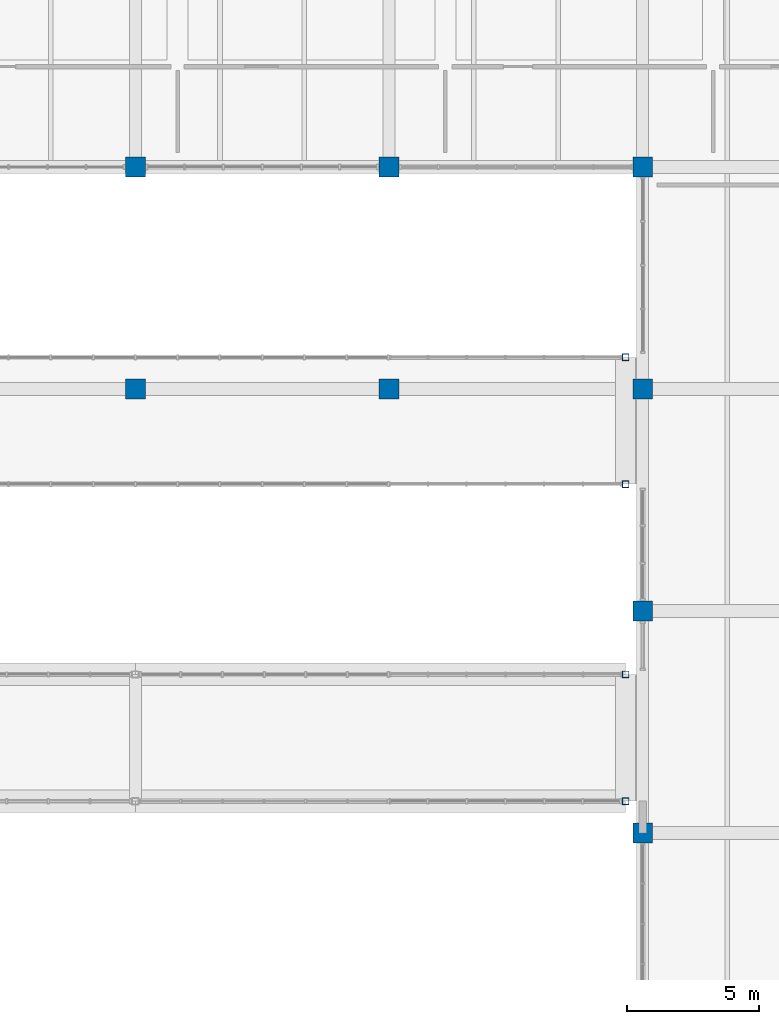
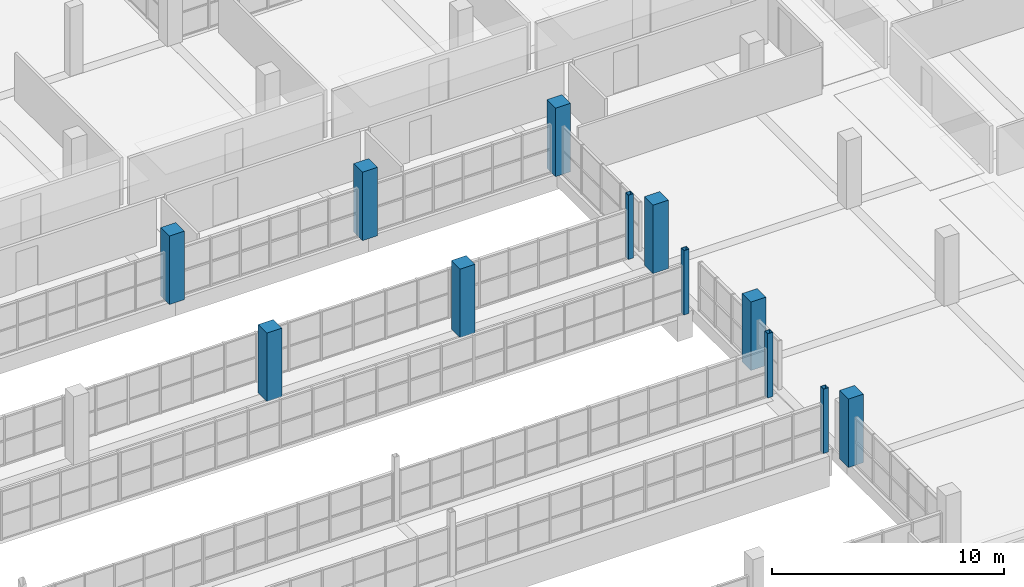
# One storey, part 16 of 147: 12 columns.
"""IFC4 building model written with IfcOpenShell, lengths in metres."""

from ifc_helpers import new_model, si_unit, direction, frame, origin, origin_2d, place, context, subcontext, project, spatial, rectangle, hollow_rectangle, extrude, material, material_profile, profile_set, type_object, element, save


model = new_model("IFC4")

# Units and contexts
model_context = context("Model", 3, precision=1e-05, world=origin(), true_north=direction((0.0, 1.0)))
body_context = subcontext(model_context, "Body", "Model", "MODEL_VIEW")
ifc_project = project(units=[si_unit("LENGTHUNIT", "METRE"), si_unit("AREAUNIT", "SQUARE_METRE"), si_unit("VOLUMEUNIT", "CUBIC_METRE"), si_unit("PLANEANGLEUNIT", "RADIAN"), si_unit("MASSUNIT", "GRAM", prefix="KILO")], contexts=[model_context])

# Site, building, storey
site_placement = place(None, origin())
site = spatial("IfcSite", under=ifc_project, at=site_placement, CompositionType="ELEMENT")
building_placement = place(site_placement, origin())
building = spatial("IfcBuilding", under=site, at=building_placement, Name="Oolite Switchyard Hospital", CompositionType="ELEMENT")
storey_placement = place(building_placement, frame((0.0, 0.0, 9.89990234375)))
storey = spatial("IfcBuildingStorey", under=building, at=storey_placement, Name="L02", CompositionType="ELEMENT", Elevation=9.89990234375)

# Columns
ifc_material_1 = material(Name="Steel ASTM A500 Grade C", Category="steel")
ifc_material_profile_1 = material_profile(ifc_material_1, hollow_rectangle(XDim=0.25390625, YDim=0.25390625, WallThickness=0.012939453125, at=origin_2d()), Name="HSS254X254X13")
ifc_profile_set_1 = profile_set([ifc_material_profile_1], Name="Steel ASTM A500 Grade C")
column_type_1 = type_object("IfcColumnType", Name="COL-HSS254", PredefinedType="COLUMN", material=ifc_profile_set_1)
for number, where, z_axis, x_axis, name in (
    (1, (181.75, 34.800048828125, 0.0), (0.0, 0.0, 1.0), (1.0, 0.0, 0.0), "L02 Column 874"),
    (2, (181.75, 39.60009765625, 0.0), (0.0, 0.0, 1.0), (1.0, 0.0, 0.0), "L02 Column 875"),
    (3, (181.75, 46.800048828125, 0.0), (0.0, 0.0, 1.0), (1.0, 0.0, 0.0), "L02 Column 876"),
    (4, (181.75, 51.60009765625, 0.0), (0.0, 0.0, 1.0), (1.0, 0.0, 0.0), "L02 Column 877"),
):
    element("IfcColumn", number, at=place(storey_placement, frame(where, z_axis=z_axis, x_axis=x_axis)), inside=storey, type_object=column_type_1, Name=name, PredefinedType="COLUMN", context=body_context, shape_type="SweptSolid", body=[
        extrude(hollow_rectangle(XDim=0.25390625, YDim=0.25390625, WallThickness=0.012939453125, at=origin_2d()), origin(), (0.0, 0.0, 1.0), 3.380126953125),
    ])
ifc_material_2 = material(Name="Concrete C50/60", Category="concrete")
ifc_material_profile_2 = material_profile(ifc_material_2, rectangle(XDim=0.75, YDim=0.75, at=origin_2d()), Name="RC750X750")
ifc_profile_set_2 = profile_set([ifc_material_profile_2], Name="Concrete C50/60")
column_type_2 = type_object("IfcColumnType", Name="COL-RC750", PredefinedType="COLUMN", material=ifc_profile_set_2)
for number, where, z_axis, x_axis, name in (
    (5, (163.199951171875, 50.39990234375, 0.0), (0.0, 0.0, 1.0), (1.0, 0.0, 0.0), "L02 Column 849"),
    (6, (163.199951171875, 58.800048828125, 0.0), (0.0, 0.0, 1.0), (1.0, 0.0, 0.0), "L02 Column 850"),
    (7, (172.800048828125, 50.39990234375, 0.0), (0.0, 0.0, 1.0), (1.0, 0.0, 0.0), "L02 Column 863"),
    (8, (172.800048828125, 58.800048828125, 0.0), (0.0, 0.0, 1.0), (1.0, 0.0, 0.0), "L02 Column 864"),
    (9, (182.39990234375, 33.60009765625, 0.0), (0.0, 0.0, 1.0), (1.0, 0.0, 0.0), "L02 Column 881"),
    (10, (182.39990234375, 42.0, 0.0), (0.0, 0.0, 1.0), (1.0, 0.0, 0.0), "L02 Column 882"),
    (11, (182.39990234375, 50.39990234375, 0.0), (0.0, 0.0, 1.0), (1.0, 0.0, 0.0), "L02 Column 883"),
    (12, (182.39990234375, 58.800048828125, 0.0), (0.0, 0.0, 1.0), (1.0, 0.0, 0.0), "L02 Column 884"),
):
    element("IfcColumn", number, at=place(storey_placement, frame(where, z_axis=z_axis, x_axis=x_axis)), inside=storey, type_object=column_type_2, Name=name, PredefinedType="COLUMN", context=body_context, shape_type="SweptSolid", body=[
        extrude(rectangle(XDim=0.75, YDim=0.75, at=origin_2d()), origin(), (0.0, 0.0, 1.0), 3.60009765625),
    ])

save(model, "model.ifc")
